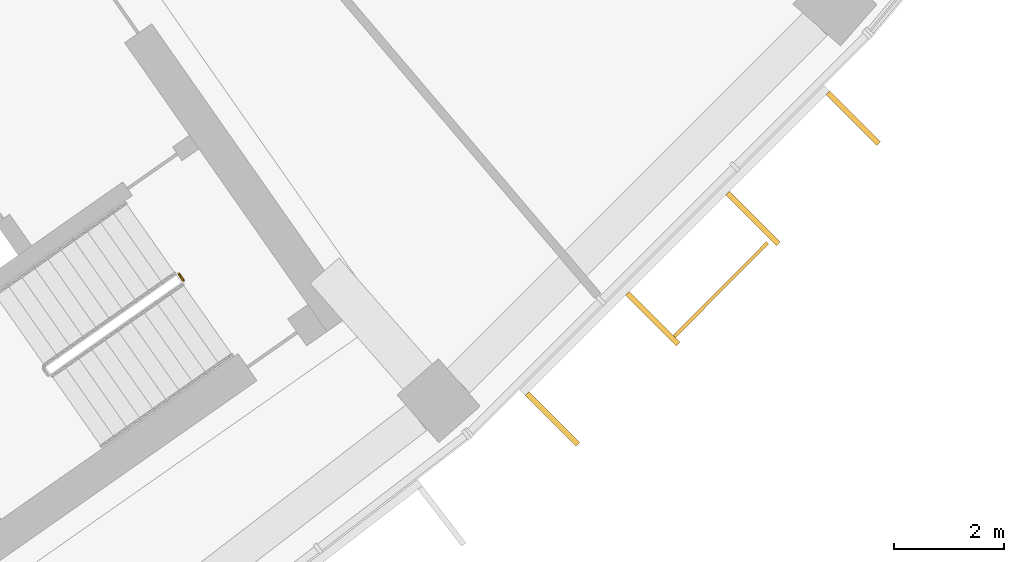
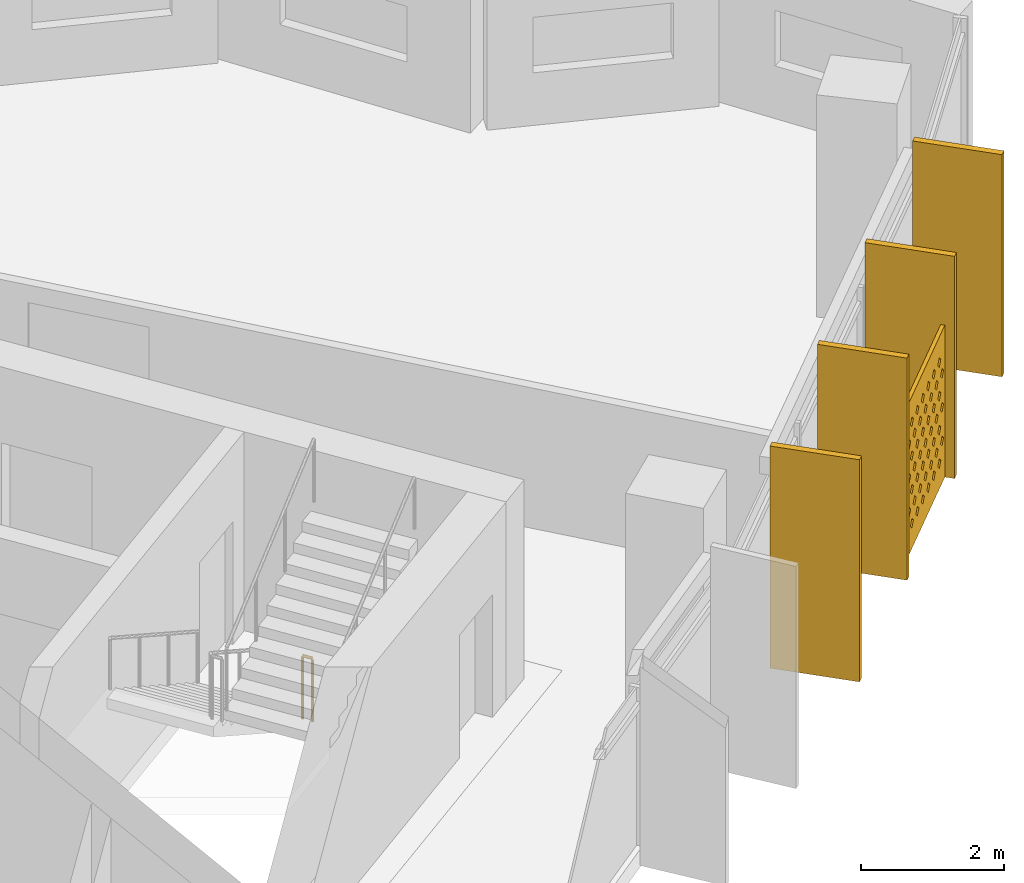
# One storey, part 28 of 28: 5 shading devices, 1 railing.
"""IFC4 building model written with IfcOpenShell, lengths in metres."""

from ifc_helpers import new_model, si_unit, direction, frame, origin, origin_2d, place, context, subcontext, project, spatial, polyline, rectangle, circle, outline, extrude, material, material_profile, profile_set, type_object, element, save


model = new_model("IFC4")

# Units and contexts
model_context = context("Model", 3, precision=1e-05, world=origin(), true_north=direction((0.0, 1.0)))
body_context = subcontext(model_context, "Body", "Model", "MODEL_VIEW")
ifc_project = project(units=[si_unit("LENGTHUNIT", "METRE"), si_unit("AREAUNIT", "SQUARE_METRE"), si_unit("VOLUMEUNIT", "CUBIC_METRE"), si_unit("PLANEANGLEUNIT", "RADIAN"), si_unit("MASSUNIT", "GRAM", prefix="KILO")], contexts=[model_context])

# Site, building, storey
site_placement = place(None, origin())
site = spatial("IfcSite", under=ifc_project, at=site_placement, CompositionType="ELEMENT")
building_placement = place(site_placement, origin())
building = spatial("IfcBuilding", under=site, at=building_placement, Name="Qamariyya Broadcast Tower", CompositionType="ELEMENT")
storey_placement = place(building_placement, frame((0.0, 0.0, 249.300048828125)))
storey = spatial("IfcBuildingStorey", under=building, at=storey_placement, Name="L60", CompositionType="ELEMENT", Elevation=249.300048828125)

# Shading device
ifc_material_1 = material(Name="Perforated glazed terracotta", Category="masonry")
ifc_material_profile_1 = material_profile(ifc_material_1, outline(polyline([(-1.199951171875, -1.300048828125), (1.199951171875, -1.300048828125), (1.199951171875, 1.300048828125), (-1.199951171875, 1.300048828125), (-1.199951171875, -1.300048828125)]), holes=[polyline([(-0.81494140625, -0.86669921875), (-0.89990234375, -0.78173828125), (-0.985107421875, -0.86669921875), (-0.89990234375, -0.95166015625), (-0.81494140625, -0.86669921875)]), polyline([(-0.514892578125, -0.86669921875), (-0.60009765625, -0.78173828125), (-0.68505859375, -0.86669921875), (-0.60009765625, -0.95166015625), (-0.514892578125, -0.86669921875)]), polyline([(-0.215087890625, -0.86669921875), (-0.300048828125, -0.78173828125), (-0.385009765625, -0.86669921875), (-0.300048828125, -0.95166015625), (-0.215087890625, -0.86669921875)]), polyline([(0.0849609375, -0.86669921875), (0.0, -0.78173828125), (-0.0849609375, -0.86669921875), (0.0, -0.95166015625), (0.0849609375, -0.86669921875)]), polyline([(0.385009765625, -0.86669921875), (0.300048828125, -0.78173828125), (0.215087890625, -0.86669921875), (0.300048828125, -0.95166015625), (0.385009765625, -0.86669921875)]), polyline([(0.68505859375, -0.86669921875), (0.60009765625, -0.78173828125), (0.514892578125, -0.86669921875), (0.60009765625, -0.95166015625), (0.68505859375, -0.86669921875)]), polyline([(0.985107421875, -0.86669921875), (0.89990234375, -0.78173828125), (0.81494140625, -0.86669921875), (0.89990234375, -0.95166015625), (0.985107421875, -0.86669921875)]), polyline([(-0.965087890625, -0.577880859375), (-1.050048828125, -0.49267578125), (-1.135009765625, -0.577880859375), (-1.050048828125, -0.662841796875), (-0.965087890625, -0.577880859375)]), polyline([(-0.6650390625, -0.577880859375), (-0.75, -0.49267578125), (-0.8349609375, -0.577880859375), (-0.75, -0.662841796875), (-0.6650390625, -0.577880859375)]), polyline([(-0.364990234375, -0.577880859375), (-0.449951171875, -0.49267578125), (-0.534912109375, -0.577880859375), (-0.449951171875, -0.662841796875), (-0.364990234375, -0.577880859375)]), polyline([(-0.06494140625, -0.577880859375), (-0.14990234375, -0.49267578125), (-0.235107421875, -0.577880859375), (-0.14990234375, -0.662841796875), (-0.06494140625, -0.577880859375)]), polyline([(0.235107421875, -0.577880859375), (0.14990234375, -0.49267578125), (0.06494140625, -0.577880859375), (0.14990234375, -0.662841796875), (0.235107421875, -0.577880859375)]), polyline([(0.534912109375, -0.577880859375), (0.449951171875, -0.49267578125), (0.364990234375, -0.577880859375), (0.449951171875, -0.662841796875), (0.534912109375, -0.577880859375)]), polyline([(0.8349609375, -0.577880859375), (0.75, -0.49267578125), (0.6650390625, -0.577880859375), (0.75, -0.662841796875), (0.8349609375, -0.577880859375)]), polyline([(1.135009765625, -0.577880859375), (1.050048828125, -0.49267578125), (0.965087890625, -0.577880859375), (1.050048828125, -0.662841796875), (1.135009765625, -0.577880859375)]), polyline([(-0.81494140625, -0.288818359375), (-0.89990234375, -0.203857421875), (-0.985107421875, -0.288818359375), (-0.89990234375, -0.373779296875), (-0.81494140625, -0.288818359375)]), polyline([(-0.514892578125, -0.288818359375), (-0.60009765625, -0.203857421875), (-0.68505859375, -0.288818359375), (-0.60009765625, -0.373779296875), (-0.514892578125, -0.288818359375)]), polyline([(-0.215087890625, -0.288818359375), (-0.300048828125, -0.203857421875), (-0.385009765625, -0.288818359375), (-0.300048828125, -0.373779296875), (-0.215087890625, -0.288818359375)]), polyline([(0.0849609375, -0.288818359375), (0.0, -0.203857421875), (-0.0849609375, -0.288818359375), (0.0, -0.373779296875), (0.0849609375, -0.288818359375)]), polyline([(0.385009765625, -0.288818359375), (0.300048828125, -0.203857421875), (0.215087890625, -0.288818359375), (0.300048828125, -0.373779296875), (0.385009765625, -0.288818359375)]), polyline([(0.68505859375, -0.288818359375), (0.60009765625, -0.203857421875), (0.514892578125, -0.288818359375), (0.60009765625, -0.373779296875), (0.68505859375, -0.288818359375)]), polyline([(0.985107421875, -0.288818359375), (0.89990234375, -0.203857421875), (0.81494140625, -0.288818359375), (0.89990234375, -0.373779296875), (0.985107421875, -0.288818359375)]), polyline([(-0.965087890625, 0.0), (-1.050048828125, 0.0849609375), (-1.135009765625, 0.0), (-1.050048828125, -0.0849609375), (-0.965087890625, 0.0)]), polyline([(-0.6650390625, 0.0), (-0.75, 0.0849609375), (-0.8349609375, 0.0), (-0.75, -0.0849609375), (-0.6650390625, 0.0)]), polyline([(-0.364990234375, 0.0), (-0.449951171875, 0.0849609375), (-0.534912109375, 0.0), (-0.449951171875, -0.0849609375), (-0.364990234375, 0.0)]), polyline([(-0.06494140625, 0.0), (-0.14990234375, 0.0849609375), (-0.235107421875, 0.0), (-0.14990234375, -0.0849609375), (-0.06494140625, 0.0)]), polyline([(0.235107421875, 0.0), (0.14990234375, 0.0849609375), (0.06494140625, 0.0), (0.14990234375, -0.0849609375), (0.235107421875, 0.0)]), polyline([(0.534912109375, 0.0), (0.449951171875, 0.0849609375), (0.364990234375, 0.0), (0.449951171875, -0.0849609375), (0.534912109375, 0.0)]), polyline([(0.8349609375, 0.0), (0.75, 0.0849609375), (0.6650390625, 0.0), (0.75, -0.0849609375), (0.8349609375, 0.0)]), polyline([(1.135009765625, 0.0), (1.050048828125, 0.0849609375), (0.965087890625, 0.0), (1.050048828125, -0.0849609375), (1.135009765625, 0.0)]), polyline([(-0.81494140625, 0.288818359375), (-0.89990234375, 0.373779296875), (-0.985107421875, 0.288818359375), (-0.89990234375, 0.203857421875), (-0.81494140625, 0.288818359375)]), polyline([(-0.514892578125, 0.288818359375), (-0.60009765625, 0.373779296875), (-0.68505859375, 0.288818359375), (-0.60009765625, 0.203857421875), (-0.514892578125, 0.288818359375)]), polyline([(-0.215087890625, 0.288818359375), (-0.300048828125, 0.373779296875), (-0.385009765625, 0.288818359375), (-0.300048828125, 0.203857421875), (-0.215087890625, 0.288818359375)]), polyline([(0.0849609375, 0.288818359375), (0.0, 0.373779296875), (-0.0849609375, 0.288818359375), (0.0, 0.203857421875), (0.0849609375, 0.288818359375)]), polyline([(0.385009765625, 0.288818359375), (0.300048828125, 0.373779296875), (0.215087890625, 0.288818359375), (0.300048828125, 0.203857421875), (0.385009765625, 0.288818359375)]), polyline([(0.68505859375, 0.288818359375), (0.60009765625, 0.373779296875), (0.514892578125, 0.288818359375), (0.60009765625, 0.203857421875), (0.68505859375, 0.288818359375)]), polyline([(0.985107421875, 0.288818359375), (0.89990234375, 0.373779296875), (0.81494140625, 0.288818359375), (0.89990234375, 0.203857421875), (0.985107421875, 0.288818359375)]), polyline([(-0.965087890625, 0.577880859375), (-1.050048828125, 0.662841796875), (-1.135009765625, 0.577880859375), (-1.050048828125, 0.49267578125), (-0.965087890625, 0.577880859375)]), polyline([(-0.6650390625, 0.577880859375), (-0.75, 0.662841796875), (-0.8349609375, 0.577880859375), (-0.75, 0.49267578125), (-0.6650390625, 0.577880859375)]), polyline([(-0.364990234375, 0.577880859375), (-0.449951171875, 0.662841796875), (-0.534912109375, 0.577880859375), (-0.449951171875, 0.49267578125), (-0.364990234375, 0.577880859375)]), polyline([(-0.06494140625, 0.577880859375), (-0.14990234375, 0.662841796875), (-0.235107421875, 0.577880859375), (-0.14990234375, 0.49267578125), (-0.06494140625, 0.577880859375)]), polyline([(0.235107421875, 0.577880859375), (0.14990234375, 0.662841796875), (0.06494140625, 0.577880859375), (0.14990234375, 0.49267578125), (0.235107421875, 0.577880859375)]), polyline([(0.534912109375, 0.577880859375), (0.449951171875, 0.662841796875), (0.364990234375, 0.577880859375), (0.449951171875, 0.49267578125), (0.534912109375, 0.577880859375)]), polyline([(0.8349609375, 0.577880859375), (0.75, 0.662841796875), (0.6650390625, 0.577880859375), (0.75, 0.49267578125), (0.8349609375, 0.577880859375)]), polyline([(1.135009765625, 0.577880859375), (1.050048828125, 0.662841796875), (0.965087890625, 0.577880859375), (1.050048828125, 0.49267578125), (1.135009765625, 0.577880859375)]), polyline([(-0.81494140625, 0.86669921875), (-0.89990234375, 0.95166015625), (-0.985107421875, 0.86669921875), (-0.89990234375, 0.78173828125), (-0.81494140625, 0.86669921875)]), polyline([(-0.514892578125, 0.86669921875), (-0.60009765625, 0.95166015625), (-0.68505859375, 0.86669921875), (-0.60009765625, 0.78173828125), (-0.514892578125, 0.86669921875)]), polyline([(-0.215087890625, 0.86669921875), (-0.300048828125, 0.95166015625), (-0.385009765625, 0.86669921875), (-0.300048828125, 0.78173828125), (-0.215087890625, 0.86669921875)]), polyline([(0.0849609375, 0.86669921875), (0.0, 0.95166015625), (-0.0849609375, 0.86669921875), (0.0, 0.78173828125), (0.0849609375, 0.86669921875)]), polyline([(0.385009765625, 0.86669921875), (0.300048828125, 0.95166015625), (0.215087890625, 0.86669921875), (0.300048828125, 0.78173828125), (0.385009765625, 0.86669921875)]), polyline([(0.68505859375, 0.86669921875), (0.60009765625, 0.95166015625), (0.514892578125, 0.86669921875), (0.60009765625, 0.78173828125), (0.68505859375, 0.86669921875)]), polyline([(0.985107421875, 0.86669921875), (0.89990234375, 0.95166015625), (0.81494140625, 0.86669921875), (0.89990234375, 0.78173828125), (0.985107421875, 0.86669921875)])]))
ifc_profile_set_1 = profile_set([ifc_material_profile_1], Name="Perforated glazed terracotta")
shading_device_type_1 = type_object("IfcShadingDeviceType", Name="Perforated terracotta screen 2400 x 2600", PredefinedType="USERDEFINED", material=ifc_profile_set_1)
shading_device_placement = place(storey_placement, frame((56.367431640625, -56.41845703125, 1.349853515625), z_axis=(0.709141608176, -0.705066081692, 0.0), x_axis=(0.705066081692, 0.709141608176, 0.0)))
element("IfcShadingDevice", 1, at=shading_device_placement, inside=storey, type_object=shading_device_type_1, Name="e-scr-L60-14-1", ObjectType="SCREEN", PredefinedType="USERDEFINED", context=body_context, shape_type="SweptSolid", body=[
    extrude(outline(polyline([(-1.199951171875, -1.300048828125), (1.199951171875, -1.300048828125), (1.199951171875, 1.300048828125), (-1.199951171875, 1.300048828125), (-1.199951171875, -1.300048828125)]), holes=[polyline([(-0.81494140625, -0.86669921875), (-0.89990234375, -0.78173828125), (-0.985107421875, -0.86669921875), (-0.89990234375, -0.95166015625), (-0.81494140625, -0.86669921875)]), polyline([(-0.514892578125, -0.86669921875), (-0.60009765625, -0.78173828125), (-0.68505859375, -0.86669921875), (-0.60009765625, -0.95166015625), (-0.514892578125, -0.86669921875)]), polyline([(-0.215087890625, -0.86669921875), (-0.300048828125, -0.78173828125), (-0.385009765625, -0.86669921875), (-0.300048828125, -0.95166015625), (-0.215087890625, -0.86669921875)]), polyline([(0.0849609375, -0.86669921875), (0.0, -0.78173828125), (-0.0849609375, -0.86669921875), (0.0, -0.95166015625), (0.0849609375, -0.86669921875)]), polyline([(0.385009765625, -0.86669921875), (0.300048828125, -0.78173828125), (0.215087890625, -0.86669921875), (0.300048828125, -0.95166015625), (0.385009765625, -0.86669921875)]), polyline([(0.68505859375, -0.86669921875), (0.60009765625, -0.78173828125), (0.514892578125, -0.86669921875), (0.60009765625, -0.95166015625), (0.68505859375, -0.86669921875)]), polyline([(0.985107421875, -0.86669921875), (0.89990234375, -0.78173828125), (0.81494140625, -0.86669921875), (0.89990234375, -0.95166015625), (0.985107421875, -0.86669921875)]), polyline([(-0.965087890625, -0.577880859375), (-1.050048828125, -0.49267578125), (-1.135009765625, -0.577880859375), (-1.050048828125, -0.662841796875), (-0.965087890625, -0.577880859375)]), polyline([(-0.6650390625, -0.577880859375), (-0.75, -0.49267578125), (-0.8349609375, -0.577880859375), (-0.75, -0.662841796875), (-0.6650390625, -0.577880859375)]), polyline([(-0.364990234375, -0.577880859375), (-0.449951171875, -0.49267578125), (-0.534912109375, -0.577880859375), (-0.449951171875, -0.662841796875), (-0.364990234375, -0.577880859375)]), polyline([(-0.06494140625, -0.577880859375), (-0.14990234375, -0.49267578125), (-0.235107421875, -0.577880859375), (-0.14990234375, -0.662841796875), (-0.06494140625, -0.577880859375)]), polyline([(0.235107421875, -0.577880859375), (0.14990234375, -0.49267578125), (0.06494140625, -0.577880859375), (0.14990234375, -0.662841796875), (0.235107421875, -0.577880859375)]), polyline([(0.534912109375, -0.577880859375), (0.449951171875, -0.49267578125), (0.364990234375, -0.577880859375), (0.449951171875, -0.662841796875), (0.534912109375, -0.577880859375)]), polyline([(0.8349609375, -0.577880859375), (0.75, -0.49267578125), (0.6650390625, -0.577880859375), (0.75, -0.662841796875), (0.8349609375, -0.577880859375)]), polyline([(1.135009765625, -0.577880859375), (1.050048828125, -0.49267578125), (0.965087890625, -0.577880859375), (1.050048828125, -0.662841796875), (1.135009765625, -0.577880859375)]), polyline([(-0.81494140625, -0.288818359375), (-0.89990234375, -0.203857421875), (-0.985107421875, -0.288818359375), (-0.89990234375, -0.373779296875), (-0.81494140625, -0.288818359375)]), polyline([(-0.514892578125, -0.288818359375), (-0.60009765625, -0.203857421875), (-0.68505859375, -0.288818359375), (-0.60009765625, -0.373779296875), (-0.514892578125, -0.288818359375)]), polyline([(-0.215087890625, -0.288818359375), (-0.300048828125, -0.203857421875), (-0.385009765625, -0.288818359375), (-0.300048828125, -0.373779296875), (-0.215087890625, -0.288818359375)]), polyline([(0.0849609375, -0.288818359375), (0.0, -0.203857421875), (-0.0849609375, -0.288818359375), (0.0, -0.373779296875), (0.0849609375, -0.288818359375)]), polyline([(0.385009765625, -0.288818359375), (0.300048828125, -0.203857421875), (0.215087890625, -0.288818359375), (0.300048828125, -0.373779296875), (0.385009765625, -0.288818359375)]), polyline([(0.68505859375, -0.288818359375), (0.60009765625, -0.203857421875), (0.514892578125, -0.288818359375), (0.60009765625, -0.373779296875), (0.68505859375, -0.288818359375)]), polyline([(0.985107421875, -0.288818359375), (0.89990234375, -0.203857421875), (0.81494140625, -0.288818359375), (0.89990234375, -0.373779296875), (0.985107421875, -0.288818359375)]), polyline([(-0.965087890625, 0.0), (-1.050048828125, 0.0849609375), (-1.135009765625, 0.0), (-1.050048828125, -0.0849609375), (-0.965087890625, 0.0)]), polyline([(-0.6650390625, 0.0), (-0.75, 0.0849609375), (-0.8349609375, 0.0), (-0.75, -0.0849609375), (-0.6650390625, 0.0)]), polyline([(-0.364990234375, 0.0), (-0.449951171875, 0.0849609375), (-0.534912109375, 0.0), (-0.449951171875, -0.0849609375), (-0.364990234375, 0.0)]), polyline([(-0.06494140625, 0.0), (-0.14990234375, 0.0849609375), (-0.235107421875, 0.0), (-0.14990234375, -0.0849609375), (-0.06494140625, 0.0)]), polyline([(0.235107421875, 0.0), (0.14990234375, 0.0849609375), (0.06494140625, 0.0), (0.14990234375, -0.0849609375), (0.235107421875, 0.0)]), polyline([(0.534912109375, 0.0), (0.449951171875, 0.0849609375), (0.364990234375, 0.0), (0.449951171875, -0.0849609375), (0.534912109375, 0.0)]), polyline([(0.8349609375, 0.0), (0.75, 0.0849609375), (0.6650390625, 0.0), (0.75, -0.0849609375), (0.8349609375, 0.0)]), polyline([(1.135009765625, 0.0), (1.050048828125, 0.0849609375), (0.965087890625, 0.0), (1.050048828125, -0.0849609375), (1.135009765625, 0.0)]), polyline([(-0.81494140625, 0.288818359375), (-0.89990234375, 0.373779296875), (-0.985107421875, 0.288818359375), (-0.89990234375, 0.203857421875), (-0.81494140625, 0.288818359375)]), polyline([(-0.514892578125, 0.288818359375), (-0.60009765625, 0.373779296875), (-0.68505859375, 0.288818359375), (-0.60009765625, 0.203857421875), (-0.514892578125, 0.288818359375)]), polyline([(-0.215087890625, 0.288818359375), (-0.300048828125, 0.373779296875), (-0.385009765625, 0.288818359375), (-0.300048828125, 0.203857421875), (-0.215087890625, 0.288818359375)]), polyline([(0.0849609375, 0.288818359375), (0.0, 0.373779296875), (-0.0849609375, 0.288818359375), (0.0, 0.203857421875), (0.0849609375, 0.288818359375)]), polyline([(0.385009765625, 0.288818359375), (0.300048828125, 0.373779296875), (0.215087890625, 0.288818359375), (0.300048828125, 0.203857421875), (0.385009765625, 0.288818359375)]), polyline([(0.68505859375, 0.288818359375), (0.60009765625, 0.373779296875), (0.514892578125, 0.288818359375), (0.60009765625, 0.203857421875), (0.68505859375, 0.288818359375)]), polyline([(0.985107421875, 0.288818359375), (0.89990234375, 0.373779296875), (0.81494140625, 0.288818359375), (0.89990234375, 0.203857421875), (0.985107421875, 0.288818359375)]), polyline([(-0.965087890625, 0.577880859375), (-1.050048828125, 0.662841796875), (-1.135009765625, 0.577880859375), (-1.050048828125, 0.49267578125), (-0.965087890625, 0.577880859375)]), polyline([(-0.6650390625, 0.577880859375), (-0.75, 0.662841796875), (-0.8349609375, 0.577880859375), (-0.75, 0.49267578125), (-0.6650390625, 0.577880859375)]), polyline([(-0.364990234375, 0.577880859375), (-0.449951171875, 0.662841796875), (-0.534912109375, 0.577880859375), (-0.449951171875, 0.49267578125), (-0.364990234375, 0.577880859375)]), polyline([(-0.06494140625, 0.577880859375), (-0.14990234375, 0.662841796875), (-0.235107421875, 0.577880859375), (-0.14990234375, 0.49267578125), (-0.06494140625, 0.577880859375)]), polyline([(0.235107421875, 0.577880859375), (0.14990234375, 0.662841796875), (0.06494140625, 0.577880859375), (0.14990234375, 0.49267578125), (0.235107421875, 0.577880859375)]), polyline([(0.534912109375, 0.577880859375), (0.449951171875, 0.662841796875), (0.364990234375, 0.577880859375), (0.449951171875, 0.49267578125), (0.534912109375, 0.577880859375)]), polyline([(0.8349609375, 0.577880859375), (0.75, 0.662841796875), (0.6650390625, 0.577880859375), (0.75, 0.49267578125), (0.8349609375, 0.577880859375)]), polyline([(1.135009765625, 0.577880859375), (1.050048828125, 0.662841796875), (0.965087890625, 0.577880859375), (1.050048828125, 0.49267578125), (1.135009765625, 0.577880859375)]), polyline([(-0.81494140625, 0.86669921875), (-0.89990234375, 0.95166015625), (-0.985107421875, 0.86669921875), (-0.89990234375, 0.78173828125), (-0.81494140625, 0.86669921875)]), polyline([(-0.514892578125, 0.86669921875), (-0.60009765625, 0.95166015625), (-0.68505859375, 0.86669921875), (-0.60009765625, 0.78173828125), (-0.514892578125, 0.86669921875)]), polyline([(-0.215087890625, 0.86669921875), (-0.300048828125, 0.95166015625), (-0.385009765625, 0.86669921875), (-0.300048828125, 0.78173828125), (-0.215087890625, 0.86669921875)]), polyline([(0.0849609375, 0.86669921875), (0.0, 0.95166015625), (-0.0849609375, 0.86669921875), (0.0, 0.78173828125), (0.0849609375, 0.86669921875)]), polyline([(0.385009765625, 0.86669921875), (0.300048828125, 0.95166015625), (0.215087890625, 0.86669921875), (0.300048828125, 0.78173828125), (0.385009765625, 0.86669921875)]), polyline([(0.68505859375, 0.86669921875), (0.60009765625, 0.95166015625), (0.514892578125, 0.86669921875), (0.60009765625, 0.78173828125), (0.68505859375, 0.86669921875)]), polyline([(0.985107421875, 0.86669921875), (0.89990234375, 0.95166015625), (0.81494140625, 0.86669921875), (0.89990234375, 0.78173828125), (0.985107421875, 0.86669921875)])]), origin(), (0.0, 0.0, 1.0), 0.059814453125),
])

# Railing
ifc_material_2 = material(Name="Painted steel", Category="steel")
railing_type = type_object("IfcRailingType", Name="Stair guard", PredefinedType="GUARDRAIL", material=ifc_material_2)
railing_placement = place(storey_placement, frame((46.550537109375, -56.1552734375, 0.0)))
element("IfcRailing", 2, at=railing_placement, inside=storey, type_object=railing_type, Name="L60 ST-E1 stair guard 3", PredefinedType="GUARDRAIL", context=body_context, shape_type="SweptSolid", body=[
    extrude(circle(Radius=0.02392578125, at=origin_2d()), frame((0.0, 0.0, 1.076171875), z_axis=(0.574444878118, -0.818543268254, 0.0), x_axis=(0.818543268254, 0.574444878118, 0.0)), (0.0, 0.0, 1.0), 0.150146484375),
    extrude(circle(Radius=0.02099609375, at=origin_2d()), origin(), (0.0, 0.0, 1.0), 1.052001953125),
    extrude(circle(Radius=0.02099609375, at=origin_2d()), frame((0.086181640625, -0.122802734375, 0.0)), (0.0, 0.0, 1.0), 1.052001953125),
])

# Shading devices
ifc_material_3 = material(Name="Glazed terracotta", Category="masonry")
ifc_material_profile_2 = material_profile(ifc_material_3, rectangle(XDim=1.300048828125, YDim=0.10009765625, at=origin_2d()))
ifc_profile_set_2 = profile_set([ifc_material_profile_2], Name="Glazed terracotta")
shading_device_type_2 = type_object("IfcShadingDeviceType", Name="Terracotta fin 100 x 1300", PredefinedType="USERDEFINED", material=ifc_profile_set_2)
for number, where, z_axis, x_axis, name in (
    (3, (53.33251953125, -58.78857421875, 0.0), (0.0, 0.0, 1.0), (0.707106781187, -0.707106781187, 0.0), "e-fin-L60-14-0"),
    (4, (55.151123046875, -56.969970703125, 0.0), (0.0, 0.0, 1.0), (0.707106781187, -0.707106781187, 0.0), "e-fin-L60-14-1"),
    (5, (56.969970703125, -55.151123046875, 0.0), (0.0, 0.0, 1.0), (0.707106781187, -0.707106781187, 0.0), "e-fin-L60-14-2"),
    (6, (58.78857421875, -53.33251953125, 0.0), (0.0, 0.0, 1.0), (0.707106781187, -0.707106781187, 0.0), "e-fin-L60-14-3"),
):
    element("IfcShadingDevice", number, at=place(storey_placement, frame(where, z_axis=z_axis, x_axis=x_axis)), inside=storey, type_object=shading_device_type_2, Name=name, ObjectType="FIN", PredefinedType="USERDEFINED", context=body_context, shape_type="SweptSolid", body=[
        extrude(rectangle(XDim=1.300048828125, YDim=0.10009765625, at=origin_2d()), origin(), (0.0, 0.0, 1.0), 3.800048828125),
    ])

save(model, "model.ifc")
